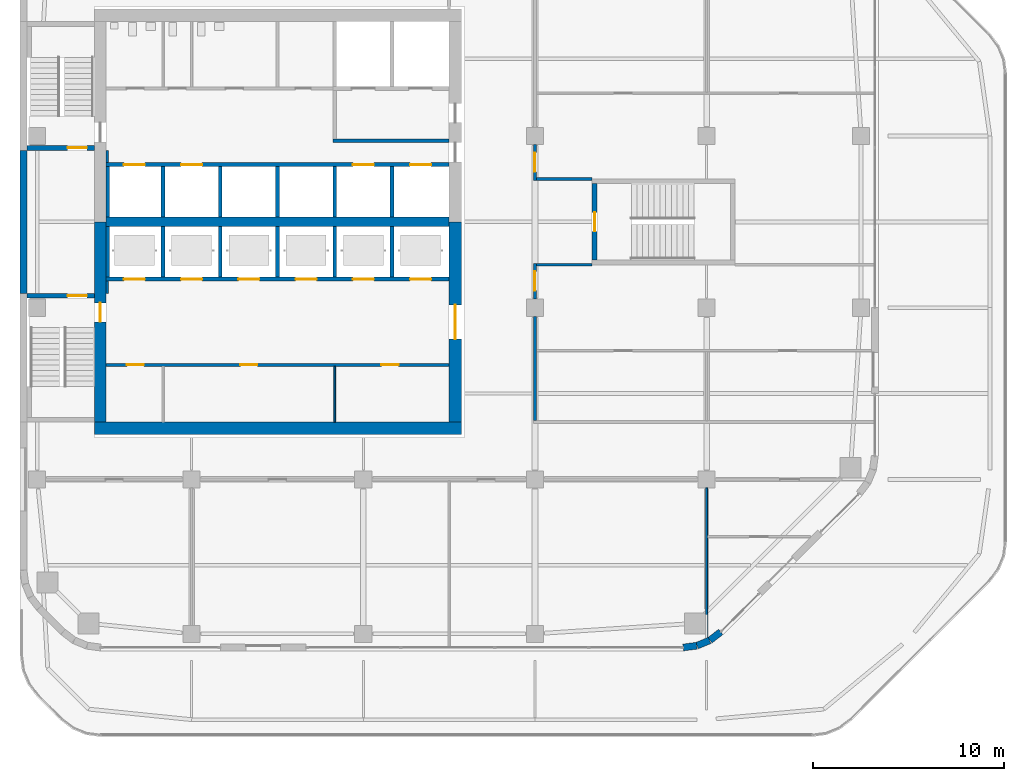
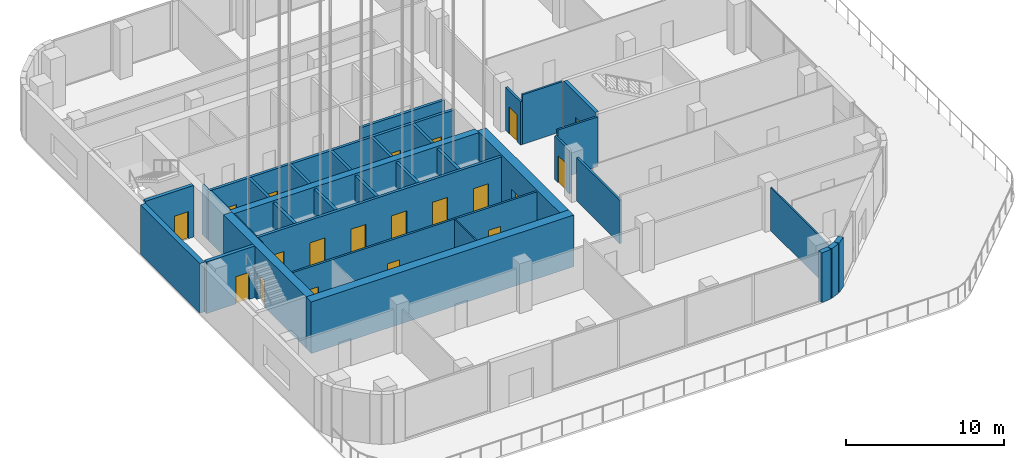
# One storey, part 24 of 29: 36 walls, 20 doors, 20 openings.
"""IFC4 building model written with IfcOpenShell, lengths in metres."""

import ifcopenshell
import ifcopenshell.guid

model = None  # the IFC model being written
_history = None  # IfcOwnerHistory: only IFC2X3 demands one
_inside = {}  # id of a spatial element -> (the spatial element, [elements in it])
_under = {}  # id of a project, library or spatial element -> (it, [spatial elements below it])
_declared = {}  # id of a project -> (the project, [libraries it declares])
_typed = {}  # id of a type object -> (the type object, [elements of that type])
_made_of = {}  # id of a material, layer set ... -> (it, [elements and type objects made of it])


def new_model(schema):
    """Start an empty IFC model of exactly this schema.

    Asked for "IFC4X3", IfcOpenShell would pick the latest addendum, in which some entities
    have other attributes; the version numbers below select the first issue.
    IFC2X3 requires an IfcOwnerHistory on every rooted entity: one is made here for all.
    """
    global model, _history
    if schema == "IFC4X3":
        model = ifcopenshell.file(schema_version=(4, 3, 0, 0))
    else:
        model = ifcopenshell.file(schema=schema)
    _inside.clear()
    _under.clear()
    _declared.clear()
    _typed.clear()
    _made_of.clear()
    _history = None
    if model.schema == "IFC2X3":
        org = make("IfcOrganization", Name="unknown")
        user = make(
            "IfcPersonAndOrganization",
            ThePerson=make("IfcPerson", FamilyName="unknown"),
            TheOrganization=org,
        )
        app = make(
            "IfcApplication",
            ApplicationDeveloper=org,
            Version="unknown",
            ApplicationFullName="unknown",
            ApplicationIdentifier="unknown",
        )
        _history = make(
            "IfcOwnerHistory",
            OwningUser=user,
            OwningApplication=app,
            ChangeAction="ADDED",
            CreationDate=0,
        )
    return model


def make(cls, **values):
    """One entity of the class cls with the attributes given. An attribute that is None is left unset."""
    return model.create_entity(
        cls, **{name: value for name, value in values.items() if value is not None}
    )


def rooted(cls, **values):
    """An entity with a GlobalId (a new one), such as an element, a storey or a relation."""
    return make(cls, GlobalId=ifcopenshell.guid.new(), OwnerHistory=_history, **values)


def si_unit(unit_type, name, prefix=None):
    """IfcSIUnit, for example si_unit("LENGTHUNIT", "METRE", prefix="MILLI")."""
    return make("IfcSIUnit", UnitType=unit_type, Prefix=prefix, Name=name)


def assignment(units):
    """IfcUnitAssignment: the units of a project."""
    return None if units is None else make("IfcUnitAssignment", Units=units)


def point(xyz):
    """IfcCartesianPoint."""
    return None if xyz is None else make("IfcCartesianPoint", Coordinates=xyz)


def direction(xyz):
    """IfcDirection."""
    return None if xyz is None else make("IfcDirection", DirectionRatios=xyz)


def frame(location, z_axis=None, x_axis=None):
    """IfcAxis2Placement3D, a coordinate frame: its origin and axes. An axis left out is left unset."""
    return make(
        "IfcAxis2Placement3D",
        Location=point(location),
        Axis=direction(z_axis),
        RefDirection=direction(x_axis),
    )


def frame_2d(location, x_axis=None):
    """IfcAxis2Placement2D, a coordinate frame in the plane: its origin and x axis."""
    return make(
        "IfcAxis2Placement2D", Location=point(location), RefDirection=direction(x_axis)
    )


def origin():
    """The frame at (0, 0, 0) with its axes left unset."""
    return frame((0.0, 0.0, 0.0))


def place(relative_to, where):
    """IfcLocalPlacement: puts the frame where relative to a parent placement (None: the world)."""
    return make(
        "IfcLocalPlacement", PlacementRelTo=relative_to, RelativePlacement=where
    )


def context(
    kind, dimensions, precision=None, world=None, true_north=None, identifier=None
):
    """IfcGeometricRepresentationContext, for example the 3D "Model" context."""
    return make(
        "IfcGeometricRepresentationContext",
        ContextIdentifier=identifier,
        ContextType=kind,
        CoordinateSpaceDimension=dimensions,
        Precision=precision,
        WorldCoordinateSystem=world,
        TrueNorth=true_north,
    )


def subcontext(parent, identifier, kind, view, scale=None):
    """IfcGeometricRepresentationSubContext, for example "Body" below "Model"."""
    return make(
        "IfcGeometricRepresentationSubContext",
        ContextIdentifier=identifier,
        ContextType=kind,
        ParentContext=parent,
        TargetScale=scale,
        TargetView=view,
    )


def project(units=None, contexts=None):
    """IfcProject with its units and contexts."""
    return rooted(
        "IfcProject",
        Name="project",
        RepresentationContexts=contexts,
        UnitsInContext=assignment(units),
    )


def spatial(cls, under=None, at=None, **own):
    """A site, building, storey or space (cls), placed at a placement, below another one or the project."""
    s = rooted(cls, ObjectPlacement=at, **own)
    if under is not None:
        _under.setdefault(under.id(), (under, []))[1].append(s)
    return s


def profile(cls, at=None, kind="AREA", **sizes):
    """A parametric profile (cls). Its sizes go by their IFC names, for example OverallWidth=200.0."""
    return make(cls, ProfileType=kind, Position=at, **sizes)


def rectangle(**sizes):
    """IfcRectangleProfileDef."""
    return profile("IfcRectangleProfileDef", **sizes)


def extrude(swept, where, along, depth):
    """IfcExtrudedAreaSolid: the profile swept, set in the frame where, extruded along a direction by depth."""
    return make(
        "IfcExtrudedAreaSolid",
        SweptArea=swept,
        Position=where,
        ExtrudedDirection=direction(along),
        Depth=depth,
    )


def shape(context_of_items, identifier, shape_type, items):
    """IfcShapeRepresentation: the items that make up one representation, for example the "Body"."""
    return make(
        "IfcShapeRepresentation",
        ContextOfItems=context_of_items,
        RepresentationIdentifier=identifier,
        RepresentationType=shape_type,
        Items=items,
    )


def material(Name=None, Category=None):
    """IfcMaterial."""
    return make("IfcMaterial", Name=Name, Category=Category)


def layer(
    of_material, thickness, ventilated=None, Name=None, Category=None, Priority=None
):
    """IfcMaterialLayer: one layer of a wall or slab, of a material (None: an air gap)."""
    return make(
        "IfcMaterialLayer",
        Material=of_material,
        LayerThickness=thickness,
        IsVentilated=ventilated,
        Name=Name,
        Category=Category,
        Priority=Priority,
    )


def layer_set(layers, Name=None):
    """IfcMaterialLayerSet."""
    return make("IfcMaterialLayerSet", MaterialLayers=layers, LayerSetName=Name)


def made_of(thing, what):
    """Note that an element or type object is made of a material, layer set ...; save() writes the relation."""
    if what is not None:
        _made_of.setdefault(what.id(), (what, []))[1].append(thing)
    return thing


def type_object(cls, material=None, **own):
    """A type object (cls), such as IfcWallType, which elements share."""
    return made_of(rooted(cls, **own), material)


def element(
    cls,
    number,
    at=None,
    inside=None,
    cuts=None,
    type_object=None,
    material=None,
    context=None,
    identifier="Body",
    shape_type=None,
    held_by="IfcProductDefinitionShape",
    body=None,
    shapes=None,
    **own,
):
    """One element of the class cls, such as IfcWall. Its Tag is "e" and its number.

    at: its placement. inside: the storey or other place that contains it. cuts: it is an
    opening in that element (IfcRelVoidsElement). A single representation is given by context,
    identifier, shape_type and body (its items); several are given by shapes. held_by: the class
    of the entity that holds the representations. save() writes the other relations.
    """
    e = rooted(cls, Tag="e%d" % number, ObjectPlacement=at, **own)
    if body is not None:
        shapes = [shape(context, identifier, shape_type, body)]
    if shapes is not None:
        e.Representation = make(held_by, Representations=shapes)
    if inside is not None:
        _inside.setdefault(inside.id(), (inside, []))[1].append(e)
    if cuts is not None:
        rooted(
            "IfcRelVoidsElement", RelatingBuildingElement=cuts, RelatedOpeningElement=e
        )
    if type_object is not None:
        _typed.setdefault(type_object.id(), (type_object, []))[1].append(e)
    return made_of(e, material)


def fill(opening, filler):
    """IfcRelFillsElement: the door or window that sits in an opening."""
    return rooted(
        "IfcRelFillsElement",
        RelatingOpeningElement=opening,
        RelatedBuildingElement=filler,
    )


def aggregate(whole, parts):
    """IfcRelAggregates: a whole, such as a stair, and the parts it consists of."""
    return rooted("IfcRelAggregates", RelatingObject=whole, RelatedObjects=parts)


def save(model, path):
    """Write the relations noted so far, then the file.

    IfcRelAggregates (storeys below a building ...), IfcRelContainedInSpatialStructure (elements
    in a storey), IfcRelDefinesByType, IfcRelAssociatesMaterial and IfcRelDeclares: one each for
    every whole, place, type object, material and project.
    """
    for whole, parts in _under.values():
        aggregate(whole, parts)
    for where, things in _inside.values():
        rooted(
            "IfcRelContainedInSpatialStructure",
            RelatedElements=things,
            RelatingStructure=where,
        )
    for kind, things in _typed.values():
        rooted("IfcRelDefinesByType", RelatedObjects=things, RelatingType=kind)
    for what, things in _made_of.values():
        rooted("IfcRelAssociatesMaterial", RelatedObjects=things, RelatingMaterial=what)
    for by, libraries in _declared.values():
        rooted("IfcRelDeclares", RelatingContext=by, RelatedDefinitions=libraries)
    model.write(path)


model = new_model("IFC4")

# Units and contexts
model_context = context("Model", 3, precision=1e-05, world=origin(), true_north=direction((0.0, 1.0)))
body_context = subcontext(model_context, "Body", "Model", "MODEL_VIEW")
ifc_project = project(units=[si_unit("LENGTHUNIT", "METRE"), si_unit("AREAUNIT", "SQUARE_METRE"), si_unit("VOLUMEUNIT", "CUBIC_METRE"), si_unit("PLANEANGLEUNIT", "RADIAN"), si_unit("MASSUNIT", "GRAM", prefix="KILO")], contexts=[model_context])

# Site, building, storey
site_placement = place(None, origin())
site = spatial("IfcSite", under=ifc_project, at=site_placement, CompositionType="ELEMENT")
building_placement = place(site_placement, origin())
building = spatial("IfcBuilding", under=site, at=building_placement, Name="Cinnabar Reach Civic Tower", CompositionType="ELEMENT")
storey_placement = place(building_placement, frame((0.0, 0.0, 149.0)))
storey = spatial("IfcBuildingStorey", under=building, at=storey_placement, Name="L35", CompositionType="ELEMENT", Elevation=149.0)

# Walls
ifc_material_1 = material(Name="Facing brick with insulated backing", Category="masonry")
ifc_layer_1 = layer(ifc_material_1, 0.36)
ifc_layer_set_1 = layer_set([ifc_layer_1], Name="Brick corner wall")
wall_type_1 = type_object("IfcWallType", Name="Brick corner wall", PredefinedType="STANDARD", material=ifc_layer_set_1)
for number, where, z_axis, x_axis, name in (
    (1, (34.7686, 9.183, 0.0), (0.0, 0.0, 1.0), (0.99144092581, 0.13055608231, 0.0), "Brick corner wall"),
    (2, (35.4973, 9.2819, 0.0), (0.0, 0.0, 1.0), (0.923871547278, 0.382702709855, 0.0), "Brick corner wall"),
):
    element("IfcWall", number, at=place(storey_placement, frame(where, z_axis=z_axis, x_axis=x_axis)), inside=storey, type_object=wall_type_1, Name=name, PredefinedType="STANDARD", context=body_context, shape_type="SweptSolid", body=[
        extrude(rectangle(XDim=0.7131, YDim=0.36, at=frame_2d((0.3565, 0.0))), origin(), (0.0, 0.0, 1.0), 3.85),
    ])
wall_1_placement = place(storey_placement, frame((36.1755, 9.566, 0.0), z_axis=(0.0, 0.0, 1.0), x_axis=(0.793321924995, 0.608802368033, 0.0)))
element("IfcWall", 3, at=wall_1_placement, inside=storey, type_object=wall_type_1, Name="Brick corner wall", PredefinedType="STANDARD", context=body_context, shape_type="SweptSolid", body=[
    extrude(rectangle(XDim=0.7132, YDim=0.36, at=frame_2d((0.3566, 0.0))), origin(), (0.0, 0.0, 1.0), 3.85),
])
ifc_layer_2 = layer(ifc_material_1, 0.36)
ifc_layer_set_2 = layer_set([ifc_layer_2], Name="Brick pier and spandrel wall")
wall_type_2 = type_object("IfcWallType", Name="Brick pier and spandrel wall", PredefinedType="STANDARD", material=ifc_layer_set_2)
wall_2_placement = place(storey_placement, frame((0.18, 35.25, 0.0), z_axis=(0.0, 0.0, 1.0), x_axis=(0.0, -1.0, 0.0)))
element("IfcWall", 4, at=wall_2_placement, inside=storey, type_object=wall_type_2, Name="Brick facade wall", PredefinedType="STANDARD", context=body_context, shape_type="SweptSolid", body=[
    extrude(rectangle(XDim=7.5, YDim=0.36, at=frame_2d((3.75, 0.0))), origin(), (0.0, 0.0, 1.0), 3.85),
])
ifc_material_2 = material(Name="Concrete C60", Category="concrete")
ifc_layer_3 = layer(ifc_material_2, 0.5)
ifc_layer_set_3 = layer_set([ifc_layer_3], Name="Core wall 500 EI 180")
wall_type_3 = type_object("IfcWallType", Name="Core wall 500 EI 180", PredefinedType="SOLIDWALL", material=ifc_layer_set_3)
wall_3_placement = place(storey_placement, frame((4.5, 31.5, 0.0), z_axis=(0.0, 0.0, 1.0), x_axis=(1.0, 0.0, 0.0)))
element("IfcWall", 5, at=wall_3_placement, inside=storey, type_object=wall_type_3, Name="Core spine wall T1 L35", PredefinedType="SOLIDWALL", context=body_context, shape_type="SweptSolid", body=[
    extrude(rectangle(XDim=18.0, YDim=0.5, at=frame_2d((9.0, 0.0))), origin(), (0.0, 0.0, 1.0), 4.0),
])

# Wall, opening, door
ifc_material_3 = material(Name="Concrete C70", Category="concrete")
ifc_layer_4 = layer(ifc_material_3, 0.6)
ifc_layer_set_4 = layer_set([ifc_layer_4], Name="Core wall 600 EI 180")
wall_type_4 = type_object("IfcWallType", Name="Core wall 600 EI 180", PredefinedType="SOLIDWALL", material=ifc_layer_set_4)
wall_4_placement = place(storey_placement, frame((4.2, 31.5, 0.0), z_axis=(0.0, 0.0, 1.0), x_axis=(0.0, -1.0, 0.0)))
wall_4 = element("IfcWall", 6, at=wall_4_placement, inside=storey, type_object=wall_type_4, Name="Core wall T1 L35 W2", PredefinedType="SOLIDWALL", context=body_context, shape_type="SweptSolid", body=[
    extrude(rectangle(XDim=10.5, YDim=0.6, at=frame_2d((5.25, 0.0))), origin(), (0.0, 0.0, 1.0), 4.0),
])
opening_1_placement = place(wall_4_placement, frame((4.25, 0.0, 0.0)))
opening_1 = element("IfcOpeningElement", 7, at=opening_1_placement, cuts=wall_4, Name="Opening D4411", PredefinedType="OPENING", context=body_context, shape_type="SweptSolid", body=[
    extrude(rectangle(XDim=1.0, YDim=2.1, at=frame_2d((0.5, 1.05))), frame((0.0, 0.31, 0.0), z_axis=(0.0, -1.0, 0.0), x_axis=(1.0, 0.0, 0.0)), (0.0, 0.0, 1.0), 0.62),
])
ifc_material_4 = material(Name="Timber door leaf in steel frame", Category="steel")
door_type_1 = type_object("IfcDoorType", Name="Stair door 1000 x 2100 T1", OperationType="SINGLE_SWING_LEFT", PredefinedType="DOOR", material=ifc_material_4)
door_1_placement = place(opening_1_placement, frame((1.0, 0.0, 0.0), z_axis=(0.0, 0.0, 1.0), x_axis=(-1.0, 0.0, 0.0)))
door_1 = element("IfcDoor", 8, at=door_1_placement, inside=storey, type_object=door_type_1, Name="Door D4411", OperationType="SINGLE_SWING_RIGHT", OverallHeight=2.1, OverallWidth=1.0, PredefinedType="DOOR", context=body_context, shape_type="SweptSolid", body=[
    extrude(rectangle(XDim=1.0, YDim=2.1, at=frame_2d((0.5, 1.05))), frame((0.0, 0.025, 0.0), z_axis=(0.0, -1.0, 0.0), x_axis=(1.0, 0.0, 0.0)), (0.0, 0.0, 1.0), 0.05),
])
fill(opening_1, door_1)

# Wall
ifc_layer_5 = layer(ifc_material_3, 0.65)
ifc_layer_set_5 = layer_set([ifc_layer_5], Name="Core wall 650 EI 180")
wall_type_5 = type_object("IfcWallType", Name="Core wall 650 EI 180", PredefinedType="SOLIDWALL", material=ifc_layer_set_5)
wall_5_placement = place(storey_placement, frame((3.9, 20.675, 0.0), z_axis=(0.0, 0.0, 1.0), x_axis=(1.0, 0.0, 0.0)))
element("IfcWall", 9, at=wall_5_placement, inside=storey, type_object=wall_type_5, Name="Core wall T1 L35 S", PredefinedType="SOLIDWALL", context=body_context, shape_type="SweptSolid", body=[
    extrude(rectangle(XDim=19.25, YDim=0.65, at=frame_2d((9.625, 0.0))), origin(), (0.0, 0.0, 1.0), 4.0),
])

# Wall, opening, door
wall_6_placement = place(storey_placement, frame((22.825, 21.0, 0.0), z_axis=(0.0, 0.0, 1.0), x_axis=(0.0, 1.0, 0.0)))
wall_6 = element("IfcWall", 10, at=wall_6_placement, inside=storey, type_object=wall_type_5, Name="Core wall T1 L35 E", PredefinedType="SOLIDWALL", context=body_context, shape_type="SweptSolid", body=[
    extrude(rectangle(XDim=10.5, YDim=0.65, at=frame_2d((5.25, 0.0))), origin(), (0.0, 0.0, 1.0), 4.0),
])
opening_2_placement = place(wall_6_placement, frame((4.35, 0.0, 0.0)))
opening_2 = element("IfcOpeningElement", 11, at=opening_2_placement, cuts=wall_6, Name="Opening D4427", PredefinedType="OPENING", context=body_context, shape_type="SweptSolid", body=[
    extrude(rectangle(XDim=1.8, YDim=2.1, at=frame_2d((0.9, 1.05))), frame((0.0, 0.335, 0.0), z_axis=(0.0, -1.0, 0.0), x_axis=(1.0, 0.0, 0.0)), (0.0, 0.0, 1.0), 0.67),
])
door_type_2 = type_object("IfcDoorType", Name="Double swing door 1800 x 2100 T1", OperationType="DOUBLE_DOOR_DOUBLE_SWING", PredefinedType="DOOR", material=ifc_material_4)
door_2_placement = place(opening_2_placement, origin())
door_2 = element("IfcDoor", 12, at=door_2_placement, inside=storey, type_object=door_type_2, Name="Door D4427", OperationType="DOUBLE_DOOR_DOUBLE_SWING", OverallHeight=2.1, OverallWidth=1.8, PredefinedType="DOOR", context=body_context, shape_type="SweptSolid", body=[
    extrude(rectangle(XDim=1.8, YDim=2.1, at=frame_2d((0.9, 1.05))), frame((0.0, 0.025, 0.0), z_axis=(0.0, -1.0, 0.0), x_axis=(1.0, 0.0, 0.0)), (0.0, 0.0, 1.0), 0.05),
])
fill(opening_2, door_2)

# Wall, openings, doors
ifc_material_5 = material(Name="Gypsum board on steel studs, double layer", Category="steel")
ifc_layer_6 = layer(ifc_material_5, 0.15)
ifc_layer_set_6 = layer_set([ifc_layer_6], Name="Corridor wall 150 T1")
wall_type_6 = type_object("IfcWallType", Name="Corridor wall 150 T1", PredefinedType="PARTITIONING", material=ifc_layer_set_6)
wall_7_placement = place(storey_placement, frame((4.5, 24.0, 0.0), z_axis=(0.0, 0.0, 1.0), x_axis=(1.0, 0.0, 0.0)))
wall_7 = element("IfcWall", 13, at=wall_7_placement, inside=storey, type_object=wall_type_6, Name="Corridor wall 28", PredefinedType="PARTITIONING", context=body_context, shape_type="SweptSolid", body=[
    extrude(rectangle(XDim=18.0, YDim=0.15, at=frame_2d((9.0, 0.0))), origin(), (0.0, 0.0, 1.0), 3.85),
])
opening_3_placement = place(wall_7_placement, frame((1.1, 0.0, 0.0)))
opening_3 = element("IfcOpeningElement", 14, at=opening_3_placement, cuts=wall_7, Name="Opening D4431", PredefinedType="OPENING", context=body_context, shape_type="SweptSolid", body=[
    extrude(rectangle(XDim=0.9, YDim=2.1, at=frame_2d((0.45, 1.05))), frame((0.0, 0.085, 0.0), z_axis=(0.0, -1.0, 0.0), x_axis=(1.0, 0.0, 0.0)), (0.0, 0.0, 1.0), 0.17),
])
opening_4_placement = place(wall_7_placement, frame((7.05, 0.0, 0.0)))
opening_4 = element("IfcOpeningElement", 15, at=opening_4_placement, cuts=wall_7, Name="Opening D4432", PredefinedType="OPENING", context=body_context, shape_type="SweptSolid", body=[
    extrude(rectangle(XDim=0.9, YDim=2.1, at=frame_2d((0.45, 1.05))), frame((0.0, 0.085, 0.0), z_axis=(0.0, -1.0, 0.0), x_axis=(1.0, 0.0, 0.0)), (0.0, 0.0, 1.0), 0.17),
])
opening_5_placement = place(wall_7_placement, frame((14.45, 0.0, 0.0)))
opening_5 = element("IfcOpeningElement", 16, at=opening_5_placement, cuts=wall_7, Name="Opening D4433", PredefinedType="OPENING", context=body_context, shape_type="SweptSolid", body=[
    extrude(rectangle(XDim=0.9, YDim=2.1, at=frame_2d((0.45, 1.05))), frame((0.0, 0.085, 0.0), z_axis=(0.0, -1.0, 0.0), x_axis=(1.0, 0.0, 0.0)), (0.0, 0.0, 1.0), 0.17),
])
door_type_3 = type_object("IfcDoorType", Name="Single swing door 900 x 2100 corridor T1", OperationType="SINGLE_SWING_LEFT", PredefinedType="DOOR", material=ifc_material_4)
door_3_placement = place(opening_3_placement, frame((0.9, 0.0, 0.0), z_axis=(0.0, 0.0, 1.0), x_axis=(-1.0, 0.0, 0.0)))
door_3 = element("IfcDoor", 17, at=door_3_placement, inside=storey, type_object=door_type_3, Name="Door D4431", OperationType="SINGLE_SWING_RIGHT", OverallHeight=2.1, OverallWidth=0.9, PredefinedType="DOOR", context=body_context, shape_type="SweptSolid", body=[
    extrude(rectangle(XDim=0.9, YDim=2.1, at=frame_2d((0.45, 1.05))), frame((0.0, 0.025, 0.0), z_axis=(0.0, -1.0, 0.0), x_axis=(1.0, 0.0, 0.0)), (0.0, 0.0, 1.0), 0.05),
])
fill(opening_3, door_3)
door_4_placement = place(opening_4_placement, frame((0.9, 0.0, 0.0), z_axis=(0.0, 0.0, 1.0), x_axis=(-1.0, 0.0, 0.0)))
door_4 = element("IfcDoor", 18, at=door_4_placement, inside=storey, type_object=door_type_3, Name="Door D4432", OperationType="SINGLE_SWING_RIGHT", OverallHeight=2.1, OverallWidth=0.9, PredefinedType="DOOR", context=body_context, shape_type="SweptSolid", body=[
    extrude(rectangle(XDim=0.9, YDim=2.1, at=frame_2d((0.45, 1.05))), frame((0.0, 0.025, 0.0), z_axis=(0.0, -1.0, 0.0), x_axis=(1.0, 0.0, 0.0)), (0.0, 0.0, 1.0), 0.05),
])
fill(opening_4, door_4)
door_5_placement = place(opening_5_placement, frame((0.9, 0.0, 0.0), z_axis=(0.0, 0.0, 1.0), x_axis=(-1.0, 0.0, 0.0)))
door_5 = element("IfcDoor", 19, at=door_5_placement, inside=storey, type_object=door_type_3, Name="Door D4433", OperationType="SINGLE_SWING_LEFT", OverallHeight=2.1, OverallWidth=0.9, PredefinedType="DOOR", context=body_context, shape_type="SweptSolid", body=[
    extrude(rectangle(XDim=0.9, YDim=2.1, at=frame_2d((0.45, 1.05))), frame((0.0, 0.025, 0.0), z_axis=(0.0, -1.0, 0.0), x_axis=(1.0, 0.0, 0.0)), (0.0, 0.0, 1.0), 0.05),
])
fill(opening_5, door_5)

# Wall, opening, door
wall_8_placement = place(storey_placement, frame((27.0, 33.675, 0.0), z_axis=(0.0, 0.0, 1.0), x_axis=(0.0, 1.0, 0.0)))
wall_8 = element("IfcWall", 20, at=wall_8_placement, inside=storey, type_object=wall_type_6, Name="Corridor wall 30", PredefinedType="PARTITIONING", context=body_context, shape_type="SweptSolid", body=[
    extrude(rectangle(XDim=1.875, YDim=0.15, at=frame_2d((0.9375, 0.0))), origin(), (0.0, 0.0, 1.0), 3.362),
])
opening_6_placement = place(wall_8_placement, frame((0.45, 0.0, 0.0)))
opening_6 = element("IfcOpeningElement", 21, at=opening_6_placement, cuts=wall_8, Name="Opening D4438", PredefinedType="OPENING", context=body_context, shape_type="SweptSolid", body=[
    extrude(rectangle(XDim=1.0, YDim=2.1, at=frame_2d((0.5, 1.05))), frame((0.0, 0.085, 0.0), z_axis=(0.0, -1.0, 0.0), x_axis=(1.0, 0.0, 0.0)), (0.0, 0.0, 1.0), 0.17),
])
door_type_4 = type_object("IfcDoorType", Name="Tenancy entrance door 1000 x 2100 T1", OperationType="SINGLE_SWING_LEFT", PredefinedType="DOOR", material=ifc_material_4)
door_6_placement = place(opening_6_placement, frame((1.0, 0.0, 0.0), z_axis=(0.0, 0.0, 1.0), x_axis=(-1.0, 0.0, 0.0)))
door_6 = element("IfcDoor", 22, at=door_6_placement, inside=storey, type_object=door_type_4, Name="Door D4438", OperationType="SINGLE_SWING_RIGHT", OverallHeight=2.1, OverallWidth=1.0, PredefinedType="DOOR", context=body_context, shape_type="SweptSolid", body=[
    extrude(rectangle(XDim=1.0, YDim=2.1, at=frame_2d((0.5, 1.05))), frame((0.0, 0.025, 0.0), z_axis=(0.0, -1.0, 0.0), x_axis=(1.0, 0.0, 0.0)), (0.0, 0.0, 1.0), 0.05),
])
fill(opening_6, door_6)

# Wall
wall_9_placement = place(storey_placement, frame((27.0, 21.075, 0.0), z_axis=(0.0, 0.0, 1.0), x_axis=(0.0, 1.0, 0.0)))
element("IfcWall", 23, at=wall_9_placement, inside=storey, type_object=wall_type_6, Name="Corridor wall 34", PredefinedType="PARTITIONING", context=body_context, shape_type="SweptSolid", body=[
    extrude(rectangle(XDim=5.475, YDim=0.15, at=frame_2d((2.7375, 0.0))), origin(), (0.0, 0.0, 1.0), 3.362),
])

# Wall, opening, door
wall_10_placement = place(storey_placement, frame((27.0, 27.45, 0.0), z_axis=(0.0, 0.0, 1.0), x_axis=(0.0, 1.0, 0.0)))
wall_10 = element("IfcWall", 24, at=wall_10_placement, inside=storey, type_object=wall_type_6, Name="Corridor wall 35", PredefinedType="PARTITIONING", context=body_context, shape_type="SweptSolid", body=[
    extrude(rectangle(XDim=1.875, YDim=0.15, at=frame_2d((0.9375, 0.0))), origin(), (0.0, 0.0, 1.0), 3.362),
])
opening_7_placement = place(wall_10_placement, frame((0.45, 0.0, 0.0)))
opening_7 = element("IfcOpeningElement", 25, at=opening_7_placement, cuts=wall_10, Name="Opening D4441", PredefinedType="OPENING", context=body_context, shape_type="SweptSolid", body=[
    extrude(rectangle(XDim=1.0, YDim=2.1, at=frame_2d((0.5, 1.05))), frame((0.0, 0.085, 0.0), z_axis=(0.0, -1.0, 0.0), x_axis=(1.0, 0.0, 0.0)), (0.0, 0.0, 1.0), 0.17),
])
door_7_placement = place(opening_7_placement, frame((1.0, 0.0, 0.0), z_axis=(0.0, 0.0, 1.0), x_axis=(-1.0, 0.0, 0.0)))
door_7 = element("IfcDoor", 26, at=door_7_placement, inside=storey, type_object=door_type_4, Name="Door D4441", OperationType="SINGLE_SWING_LEFT", OverallHeight=2.1, OverallWidth=1.0, PredefinedType="DOOR", context=body_context, shape_type="SweptSolid", body=[
    extrude(rectangle(XDim=1.0, YDim=2.1, at=frame_2d((0.5, 1.05))), frame((0.0, 0.025, 0.0), z_axis=(0.0, -1.0, 0.0), x_axis=(1.0, 0.0, 0.0)), (0.0, 0.0, 1.0), 0.05),
])
fill(opening_7, door_7)

# Walls
for number, where, z_axis, x_axis, name in (
    (27, (27.075, 29.25, 0.0), (0.0, 0.0, 1.0), (1.0, 0.0, 0.0), "Corridor wall 36"),
    (28, (27.075, 33.75, 0.0), (0.0, 0.0, 1.0), (1.0, 0.0, 0.0), "Corridor wall 37"),
):
    element("IfcWall", number, at=place(storey_placement, frame(where, z_axis=z_axis, x_axis=x_axis)), inside=storey, type_object=wall_type_6, Name=name, PredefinedType="PARTITIONING", context=body_context, shape_type="SweptSolid", body=[
        extrude(rectangle(XDim=2.925, YDim=0.15, at=frame_2d((1.4625, 0.0))), origin(), (0.0, 0.0, 1.0), 3.85),
    ])
for number, where, z_axis, x_axis, name in (
    (29, (4.575, 27.75, 0.0), (0.0, 0.0, 1.0), (0.0, 1.0, 0.0), "Corridor wall 39"),
    (30, (4.575, 34.6, 0.0), (0.0, 0.0, 1.0), (0.0, 1.0, 0.0), "Corridor wall 40"),
):
    element("IfcWall", number, at=place(storey_placement, frame(where, z_axis=z_axis, x_axis=x_axis)), inside=storey, type_object=wall_type_6, Name=name, PredefinedType="PARTITIONING", context=body_context, shape_type="SweptSolid", body=[
        extrude(rectangle(XDim=0.65, YDim=0.15, at=frame_2d((0.325, 0.0))), origin(), (0.0, 0.0, 1.0), 3.85),
    ])

# Wall, openings, doors
ifc_material_6 = material(Name="Blockwork", Category="masonry")
ifc_layer_7 = layer(ifc_material_6, 0.2)
ifc_layer_set_7 = layer_set([ifc_layer_7], Name="Lift shaft wall 200 T1")
wall_type_7 = type_object("IfcWallType", Name="Lift shaft wall 200 T1", PredefinedType="PARTITIONING", material=ifc_layer_set_7)
wall_11_placement = place(storey_placement, frame((4.5, 28.5, 0.0), z_axis=(0.0, 0.0, 1.0), x_axis=(1.0, 0.0, 0.0)))
wall_11 = element("IfcWall", 31, at=wall_11_placement, inside=storey, type_object=wall_type_7, Name="Lift shaft wall 4", PredefinedType="PARTITIONING", context=body_context, shape_type="SweptSolid", body=[
    extrude(rectangle(XDim=18.0, YDim=0.2, at=frame_2d((9.0, 0.0))), origin(), (0.0, 0.0, 1.0), 3.85),
])
opening_8_placement = place(wall_11_placement, frame((0.95, 0.0, 0.0)))
opening_8 = element("IfcOpeningElement", 32, at=opening_8_placement, cuts=wall_11, Name="Opening D4415", PredefinedType="OPENING", context=body_context, shape_type="SweptSolid", body=[
    extrude(rectangle(XDim=1.1, YDim=2.1, at=frame_2d((0.55, 1.05))), frame((0.0, 0.11, 0.0), z_axis=(0.0, -1.0, 0.0), x_axis=(1.0, 0.0, 0.0)), (0.0, 0.0, 1.0), 0.22),
])
opening_9_placement = place(wall_11_placement, frame((3.95, 0.0, 0.0)))
opening_9 = element("IfcOpeningElement", 33, at=opening_9_placement, cuts=wall_11, Name="Opening D4416", PredefinedType="OPENING", context=body_context, shape_type="SweptSolid", body=[
    extrude(rectangle(XDim=1.1, YDim=2.1, at=frame_2d((0.55, 1.05))), frame((0.0, 0.11, 0.0), z_axis=(0.0, -1.0, 0.0), x_axis=(1.0, 0.0, 0.0)), (0.0, 0.0, 1.0), 0.22),
])
opening_10_placement = place(wall_11_placement, frame((6.95, 0.0, 0.0)))
opening_10 = element("IfcOpeningElement", 34, at=opening_10_placement, cuts=wall_11, Name="Opening D4417", PredefinedType="OPENING", context=body_context, shape_type="SweptSolid", body=[
    extrude(rectangle(XDim=1.1, YDim=2.1, at=frame_2d((0.55, 1.05))), frame((0.0, 0.11, 0.0), z_axis=(0.0, -1.0, 0.0), x_axis=(1.0, 0.0, 0.0)), (0.0, 0.0, 1.0), 0.22),
])
opening_11_placement = place(wall_11_placement, frame((9.95, 0.0, 0.0)))
opening_11 = element("IfcOpeningElement", 35, at=opening_11_placement, cuts=wall_11, Name="Opening D4418", PredefinedType="OPENING", context=body_context, shape_type="SweptSolid", body=[
    extrude(rectangle(XDim=1.1, YDim=2.1, at=frame_2d((0.55, 1.05))), frame((0.0, 0.11, 0.0), z_axis=(0.0, -1.0, 0.0), x_axis=(1.0, 0.0, 0.0)), (0.0, 0.0, 1.0), 0.22),
])
opening_12_placement = place(wall_11_placement, frame((12.95, 0.0, 0.0)))
opening_12 = element("IfcOpeningElement", 36, at=opening_12_placement, cuts=wall_11, Name="Opening D4419", PredefinedType="OPENING", context=body_context, shape_type="SweptSolid", body=[
    extrude(rectangle(XDim=1.1, YDim=2.1, at=frame_2d((0.55, 1.05))), frame((0.0, 0.11, 0.0), z_axis=(0.0, -1.0, 0.0), x_axis=(1.0, 0.0, 0.0)), (0.0, 0.0, 1.0), 0.22),
])
opening_13_placement = place(wall_11_placement, frame((15.95, 0.0, 0.0)))
opening_13 = element("IfcOpeningElement", 37, at=opening_13_placement, cuts=wall_11, Name="Opening D4420", PredefinedType="OPENING", context=body_context, shape_type="SweptSolid", body=[
    extrude(rectangle(XDim=1.1, YDim=2.1, at=frame_2d((0.55, 1.05))), frame((0.0, 0.11, 0.0), z_axis=(0.0, -1.0, 0.0), x_axis=(1.0, 0.0, 0.0)), (0.0, 0.0, 1.0), 0.22),
])
ifc_material_7 = material(Name="Stainless steel sliding door", Category="steel")
door_type_5 = type_object("IfcDoorType", Name="Lift landing door 1100 x 2100 T1", OperationType="SLIDING_TO_LEFT", PredefinedType="DOOR", material=ifc_material_7)
door_8_placement = place(opening_8_placement, origin())
door_8 = element("IfcDoor", 38, at=door_8_placement, inside=storey, type_object=door_type_5, Name="Lift landing door HR1 L35", OperationType="SLIDING_TO_LEFT", OverallHeight=2.1, OverallWidth=1.1, PredefinedType="DOOR", context=body_context, shape_type="SweptSolid", body=[
    extrude(rectangle(XDim=1.1, YDim=2.1, at=frame_2d((0.55, 1.05))), frame((0.0, 0.025, 0.0), z_axis=(0.0, -1.0, 0.0), x_axis=(1.0, 0.0, 0.0)), (0.0, 0.0, 1.0), 0.05),
])
fill(opening_8, door_8)
door_9_placement = place(opening_9_placement, origin())
door_9 = element("IfcDoor", 39, at=door_9_placement, inside=storey, type_object=door_type_5, Name="Lift landing door HR2 L35", OperationType="SLIDING_TO_LEFT", OverallHeight=2.1, OverallWidth=1.1, PredefinedType="DOOR", context=body_context, shape_type="SweptSolid", body=[
    extrude(rectangle(XDim=1.1, YDim=2.1, at=frame_2d((0.55, 1.05))), frame((0.0, 0.025, 0.0), z_axis=(0.0, -1.0, 0.0), x_axis=(1.0, 0.0, 0.0)), (0.0, 0.0, 1.0), 0.05),
])
fill(opening_9, door_9)
door_10_placement = place(opening_10_placement, origin())
door_10 = element("IfcDoor", 40, at=door_10_placement, inside=storey, type_object=door_type_5, Name="Lift landing door HR3 L35", OperationType="SLIDING_TO_LEFT", OverallHeight=2.1, OverallWidth=1.1, PredefinedType="DOOR", context=body_context, shape_type="SweptSolid", body=[
    extrude(rectangle(XDim=1.1, YDim=2.1, at=frame_2d((0.55, 1.05))), frame((0.0, 0.025, 0.0), z_axis=(0.0, -1.0, 0.0), x_axis=(1.0, 0.0, 0.0)), (0.0, 0.0, 1.0), 0.05),
])
fill(opening_10, door_10)
door_11_placement = place(opening_11_placement, origin())
door_11 = element("IfcDoor", 41, at=door_11_placement, inside=storey, type_object=door_type_5, Name="Lift landing door HR4 L35", OperationType="SLIDING_TO_LEFT", OverallHeight=2.1, OverallWidth=1.1, PredefinedType="DOOR", context=body_context, shape_type="SweptSolid", body=[
    extrude(rectangle(XDim=1.1, YDim=2.1, at=frame_2d((0.55, 1.05))), frame((0.0, 0.025, 0.0), z_axis=(0.0, -1.0, 0.0), x_axis=(1.0, 0.0, 0.0)), (0.0, 0.0, 1.0), 0.05),
])
fill(opening_11, door_11)
door_12_placement = place(opening_12_placement, origin())
door_12 = element("IfcDoor", 42, at=door_12_placement, inside=storey, type_object=door_type_5, Name="Lift landing door HR5 L35", OperationType="SLIDING_TO_LEFT", OverallHeight=2.1, OverallWidth=1.1, PredefinedType="DOOR", context=body_context, shape_type="SweptSolid", body=[
    extrude(rectangle(XDim=1.1, YDim=2.1, at=frame_2d((0.55, 1.05))), frame((0.0, 0.025, 0.0), z_axis=(0.0, -1.0, 0.0), x_axis=(1.0, 0.0, 0.0)), (0.0, 0.0, 1.0), 0.05),
])
fill(opening_12, door_12)
door_13_placement = place(opening_13_placement, origin())
door_13 = element("IfcDoor", 43, at=door_13_placement, inside=storey, type_object=door_type_5, Name="Lift landing door HR6 L35", OperationType="SLIDING_TO_LEFT", OverallHeight=2.1, OverallWidth=1.1, PredefinedType="DOOR", context=body_context, shape_type="SweptSolid", body=[
    extrude(rectangle(XDim=1.1, YDim=2.1, at=frame_2d((0.55, 1.05))), frame((0.0, 0.025, 0.0), z_axis=(0.0, -1.0, 0.0), x_axis=(1.0, 0.0, 0.0)), (0.0, 0.0, 1.0), 0.05),
])
fill(opening_13, door_13)

wall_12_placement = place(storey_placement, frame((4.5, 34.5, 0.0), z_axis=(0.0, 0.0, 1.0), x_axis=(1.0, 0.0, 0.0)))
wall_12 = element("IfcWall", 44, at=wall_12_placement, inside=storey, type_object=wall_type_7, Name="Lift shaft wall 5", PredefinedType="PARTITIONING", context=body_context, shape_type="SweptSolid", body=[
    extrude(rectangle(XDim=18.0, YDim=0.2, at=frame_2d((9.0, 0.0))), origin(), (0.0, 0.0, 1.0), 3.85),
])
opening_14_placement = place(wall_12_placement, frame((0.95, 0.0, 0.0)))
opening_14 = element("IfcOpeningElement", 45, at=opening_14_placement, cuts=wall_12, Name="Opening D4421", PredefinedType="OPENING", context=body_context, shape_type="SweptSolid", body=[
    extrude(rectangle(XDim=1.1, YDim=2.1, at=frame_2d((0.55, 1.05))), frame((0.0, 0.11, 0.0), z_axis=(0.0, -1.0, 0.0), x_axis=(1.0, 0.0, 0.0)), (0.0, 0.0, 1.0), 0.22),
])
opening_15_placement = place(wall_12_placement, frame((3.95, 0.0, 0.0)))
opening_15 = element("IfcOpeningElement", 46, at=opening_15_placement, cuts=wall_12, Name="Opening D4422", PredefinedType="OPENING", context=body_context, shape_type="SweptSolid", body=[
    extrude(rectangle(XDim=1.1, YDim=2.1, at=frame_2d((0.55, 1.05))), frame((0.0, 0.11, 0.0), z_axis=(0.0, -1.0, 0.0), x_axis=(1.0, 0.0, 0.0)), (0.0, 0.0, 1.0), 0.22),
])
opening_16_placement = place(wall_12_placement, frame((12.95, 0.0, 0.0)))
opening_16 = element("IfcOpeningElement", 47, at=opening_16_placement, cuts=wall_12, Name="Opening D4423", PredefinedType="OPENING", context=body_context, shape_type="SweptSolid", body=[
    extrude(rectangle(XDim=1.1, YDim=2.1, at=frame_2d((0.55, 1.05))), frame((0.0, 0.11, 0.0), z_axis=(0.0, -1.0, 0.0), x_axis=(1.0, 0.0, 0.0)), (0.0, 0.0, 1.0), 0.22),
])
opening_17_placement = place(wall_12_placement, frame((15.95, 0.0, 0.0)))
opening_17 = element("IfcOpeningElement", 48, at=opening_17_placement, cuts=wall_12, Name="Opening D4424", PredefinedType="OPENING", context=body_context, shape_type="SweptSolid", body=[
    extrude(rectangle(XDim=1.1, YDim=2.1, at=frame_2d((0.55, 1.05))), frame((0.0, 0.11, 0.0), z_axis=(0.0, -1.0, 0.0), x_axis=(1.0, 0.0, 0.0)), (0.0, 0.0, 1.0), 0.22),
])
door_14_placement = place(opening_14_placement, origin())
door_14 = element("IfcDoor", 49, at=door_14_placement, inside=storey, type_object=door_type_5, Name="Lift landing door SH1 L35", OperationType="SLIDING_TO_LEFT", OverallHeight=2.1, OverallWidth=1.1, PredefinedType="DOOR", context=body_context, shape_type="SweptSolid", body=[
    extrude(rectangle(XDim=1.1, YDim=2.1, at=frame_2d((0.55, 1.05))), frame((0.0, 0.025, 0.0), z_axis=(0.0, -1.0, 0.0), x_axis=(1.0, 0.0, 0.0)), (0.0, 0.0, 1.0), 0.05),
])
fill(opening_14, door_14)
door_15_placement = place(opening_15_placement, origin())
door_15 = element("IfcDoor", 50, at=door_15_placement, inside=storey, type_object=door_type_5, Name="Lift landing door SH2 L35", OperationType="SLIDING_TO_LEFT", OverallHeight=2.1, OverallWidth=1.1, PredefinedType="DOOR", context=body_context, shape_type="SweptSolid", body=[
    extrude(rectangle(XDim=1.1, YDim=2.1, at=frame_2d((0.55, 1.05))), frame((0.0, 0.025, 0.0), z_axis=(0.0, -1.0, 0.0), x_axis=(1.0, 0.0, 0.0)), (0.0, 0.0, 1.0), 0.05),
])
fill(opening_15, door_15)
door_16_placement = place(opening_16_placement, origin())
door_16 = element("IfcDoor", 51, at=door_16_placement, inside=storey, type_object=door_type_5, Name="Lift landing door SV1 L35", OperationType="SLIDING_TO_LEFT", OverallHeight=2.1, OverallWidth=1.1, PredefinedType="DOOR", context=body_context, shape_type="SweptSolid", body=[
    extrude(rectangle(XDim=1.1, YDim=2.1, at=frame_2d((0.55, 1.05))), frame((0.0, 0.025, 0.0), z_axis=(0.0, -1.0, 0.0), x_axis=(1.0, 0.0, 0.0)), (0.0, 0.0, 1.0), 0.05),
])
fill(opening_16, door_16)
door_17_placement = place(opening_17_placement, origin())
door_17 = element("IfcDoor", 52, at=door_17_placement, inside=storey, type_object=door_type_5, Name="Lift landing door SV2 L35", OperationType="SLIDING_TO_LEFT", OverallHeight=2.1, OverallWidth=1.1, PredefinedType="DOOR", context=body_context, shape_type="SweptSolid", body=[
    extrude(rectangle(XDim=1.1, YDim=2.1, at=frame_2d((0.55, 1.05))), frame((0.0, 0.025, 0.0), z_axis=(0.0, -1.0, 0.0), x_axis=(1.0, 0.0, 0.0)), (0.0, 0.0, 1.0), 0.05),
])
fill(opening_17, door_17)

# Walls
for number, where, z_axis, x_axis, name in (
    (53, (4.6, 31.75, 0.0), (0.0, 0.0, 1.0), (0.0, 1.0, 0.0), "Lift shaft wall 6"),
    (54, (4.6, 28.6, 0.0), (0.0, 0.0, 1.0), (0.0, 1.0, 0.0), "Lift shaft wall 7"),
    (55, (7.5, 28.6, 0.0), (0.0, 0.0, 1.0), (0.0, 1.0, 0.0), "Lift shaft wall 8"),
    (56, (7.5, 31.75, 0.0), (0.0, 0.0, 1.0), (0.0, 1.0, 0.0), "Lift shaft wall 9"),
    (57, (10.5, 28.6, 0.0), (0.0, 0.0, 1.0), (0.0, 1.0, 0.0), "Lift shaft wall 10"),
    (58, (10.5, 31.75, 0.0), (0.0, 0.0, 1.0), (0.0, 1.0, 0.0), "Lift shaft wall 11"),
    (59, (13.5, 28.6, 0.0), (0.0, 0.0, 1.0), (0.0, 1.0, 0.0), "Lift shaft wall 12"),
    (60, (13.5, 31.75, 0.0), (0.0, 0.0, 1.0), (0.0, 1.0, 0.0), "Lift shaft wall 13"),
    (61, (16.5, 28.6, 0.0), (0.0, 0.0, 1.0), (0.0, 1.0, 0.0), "Lift shaft wall 14"),
    (62, (16.5, 31.75, 0.0), (0.0, 0.0, 1.0), (0.0, 1.0, 0.0), "Lift shaft wall 15"),
    (63, (19.5, 28.6, 0.0), (0.0, 0.0, 1.0), (0.0, 1.0, 0.0), "Lift shaft wall 16"),
    (64, (19.5, 31.75, 0.0), (0.0, 0.0, 1.0), (0.0, 1.0, 0.0), "Lift shaft wall 17"),
):
    element("IfcWall", number, at=place(storey_placement, frame(where, z_axis=z_axis, x_axis=x_axis)), inside=storey, type_object=wall_type_7, Name=name, PredefinedType="PARTITIONING", context=body_context, shape_type="SweptSolid", body=[
        extrude(rectangle(XDim=2.65, YDim=0.2, at=frame_2d((1.325, 0.0))), origin(), (0.0, 0.0, 1.0), 3.85),
    ])
ifc_material_8 = material(Name="Gypsum board on steel studs", Category="steel")
ifc_layer_8 = layer(ifc_material_8, 0.1)
ifc_layer_set_8 = layer_set([ifc_layer_8], Name="Partition wall 100 T1")
wall_type_8 = type_object("IfcWallType", Name="Partition wall 100 T1", PredefinedType="PARTITIONING", material=ifc_layer_set_8)
wall_13_placement = place(storey_placement, frame((36.0, 9.685, 0.0), z_axis=(0.0, 0.0, 1.0), x_axis=(0.0, 1.0, 0.0)))
element("IfcWall", 65, at=wall_13_placement, inside=storey, type_object=wall_type_8, Name="Partition wall 49", PredefinedType="PARTITIONING", context=body_context, shape_type="SweptSolid", body=[
    extrude(rectangle(XDim=7.865, YDim=0.1, at=frame_2d((3.9325, 0.0))), origin(), (0.0, 0.0, 1.0), 3.35),
])
wall_14_placement = place(storey_placement, frame((16.5, 21.0, 0.0), z_axis=(0.0, 0.0, 1.0), x_axis=(0.0, 1.0, 0.0)))
element("IfcWall", 66, at=wall_14_placement, inside=storey, type_object=wall_type_8, Name="Partition wall 57", PredefinedType="PARTITIONING", context=body_context, shape_type="SweptSolid", body=[
    extrude(rectangle(XDim=2.925, YDim=0.1, at=frame_2d((1.4625, 0.0))), origin(), (0.0, 0.0, 1.0), 3.85),
])
ifc_material_9 = material(Name="Concrete C40", Category="concrete")
ifc_layer_9 = layer(ifc_material_9, 0.2)
ifc_layer_set_9 = layer_set([ifc_layer_9], Name="Refuge compartment wall 200 T1")
wall_type_9 = type_object("IfcWallType", Name="Refuge compartment wall 200 T1", PredefinedType="PARTITIONING", material=ifc_layer_set_9)
wall_15_placement = place(storey_placement, frame((16.4, 35.75, 0.0), z_axis=(0.0, 0.0, 1.0), x_axis=(1.0, 0.0, 0.0)))
element("IfcWall", 67, at=wall_15_placement, inside=storey, type_object=wall_type_9, Name="Refuge compartment wall 1", PredefinedType="PARTITIONING", context=body_context, shape_type="SweptSolid", body=[
    extrude(rectangle(XDim=6.1, YDim=0.2, at=frame_2d((3.05, 0.0))), origin(), (0.0, 0.0, 1.0), 3.85),
])

# Wall, opening, door
ifc_layer_10 = layer(ifc_material_2, 0.25)
ifc_layer_set_10 = layer_set([ifc_layer_10], Name="Stair shaft wall 250 EI 120")
wall_type_10 = type_object("IfcWallType", Name="Stair shaft wall 250 EI 120", PredefinedType="SOLIDWALL", material=ifc_layer_set_10)
wall_16_placement = place(storey_placement, frame((3.9, 27.625, 0.0), z_axis=(0.0, 0.0, 1.0), x_axis=(-1.0, 0.0, 0.0)))
wall_16 = element("IfcWall", 68, at=wall_16_placement, inside=storey, type_object=wall_type_10, Name="Stair shaft wall T1-S1 L35", PredefinedType="SOLIDWALL", context=body_context, shape_type="SweptSolid", body=[
    extrude(rectangle(XDim=3.54, YDim=0.25, at=frame_2d((1.77, 0.0))), origin(), (0.0, 0.0, 1.0), 4.0),
])
opening_18_placement = place(wall_16_placement, frame((0.4, 0.0, 0.0)))
opening_18 = element("IfcOpeningElement", 69, at=opening_18_placement, cuts=wall_16, Name="Opening D4412", PredefinedType="OPENING", context=body_context, shape_type="SweptSolid", body=[
    extrude(rectangle(XDim=1.0, YDim=2.1, at=frame_2d((0.5, 1.05))), frame((0.0, 0.135, 0.0), z_axis=(0.0, -1.0, 0.0), x_axis=(1.0, 0.0, 0.0)), (0.0, 0.0, 1.0), 0.27),
])
door_18_placement = place(opening_18_placement, origin())
door_18 = element("IfcDoor", 70, at=door_18_placement, inside=storey, type_object=door_type_1, Name="Door D4412", OperationType="SINGLE_SWING_LEFT", OverallHeight=2.1, OverallWidth=1.0, PredefinedType="DOOR", context=body_context, shape_type="SweptSolid", body=[
    extrude(rectangle(XDim=1.0, YDim=2.1, at=frame_2d((0.5, 1.05))), frame((0.0, 0.025, 0.0), z_axis=(0.0, -1.0, 0.0), x_axis=(1.0, 0.0, 0.0)), (0.0, 0.0, 1.0), 0.05),
])
fill(opening_18, door_18)

wall_17_placement = place(storey_placement, frame((0.36, 35.375, 0.0), z_axis=(0.0, 0.0, 1.0), x_axis=(1.0, 0.0, 0.0)))
wall_17 = element("IfcWall", 71, at=wall_17_placement, inside=storey, type_object=wall_type_10, Name="Stair shaft wall T1-S2 L35", PredefinedType="SOLIDWALL", context=body_context, shape_type="SweptSolid", body=[
    extrude(rectangle(XDim=3.54, YDim=0.25, at=frame_2d((1.77, 0.0))), origin(), (0.0, 0.0, 1.0), 4.0),
])
opening_19_placement = place(wall_17_placement, frame((2.14, 0.0, 0.0)))
opening_19 = element("IfcOpeningElement", 72, at=opening_19_placement, cuts=wall_17, Name="Opening D4414", PredefinedType="OPENING", context=body_context, shape_type="SweptSolid", body=[
    extrude(rectangle(XDim=1.0, YDim=2.1, at=frame_2d((0.5, 1.05))), frame((0.0, 0.135, 0.0), z_axis=(0.0, -1.0, 0.0), x_axis=(1.0, 0.0, 0.0)), (0.0, 0.0, 1.0), 0.27),
])
door_19_placement = place(opening_19_placement, origin())
door_19 = element("IfcDoor", 73, at=door_19_placement, inside=storey, type_object=door_type_1, Name="Door D4414", OperationType="SINGLE_SWING_RIGHT", OverallHeight=2.1, OverallWidth=1.0, PredefinedType="DOOR", context=body_context, shape_type="SweptSolid", body=[
    extrude(rectangle(XDim=1.0, YDim=2.1, at=frame_2d((0.5, 1.05))), frame((0.0, 0.025, 0.0), z_axis=(0.0, -1.0, 0.0), x_axis=(1.0, 0.0, 0.0)), (0.0, 0.0, 1.0), 0.05),
])
fill(opening_19, door_19)

wall_18_placement = place(storey_placement, frame((30.125, 33.5, 0.0), z_axis=(0.0, 0.0, 1.0), x_axis=(0.0, -1.0, 0.0)))
wall_18 = element("IfcWall", 74, at=wall_18_placement, inside=storey, type_object=wall_type_10, Name="Stair shaft wall T1-S3 L35", PredefinedType="SOLIDWALL", context=body_context, shape_type="SweptSolid", body=[
    extrude(rectangle(XDim=4.0, YDim=0.25, at=frame_2d((2.0, 0.0))), origin(), (0.0, 0.0, 1.0), 4.0),
])
opening_20_placement = place(wall_18_placement, frame((1.5, 0.0, 0.0)))
opening_20 = element("IfcOpeningElement", 75, at=opening_20_placement, cuts=wall_18, Name="Opening D4430", PredefinedType="OPENING", context=body_context, shape_type="SweptSolid", body=[
    extrude(rectangle(XDim=1.0, YDim=2.1, at=frame_2d((0.5, 1.05))), frame((0.0, 0.135, 0.0), z_axis=(0.0, -1.0, 0.0), x_axis=(1.0, 0.0, 0.0)), (0.0, 0.0, 1.0), 0.27),
])
door_20_placement = place(opening_20_placement, origin())
door_20 = element("IfcDoor", 76, at=door_20_placement, inside=storey, type_object=door_type_1, Name="Door D4430", OperationType="SINGLE_SWING_LEFT", OverallHeight=2.1, OverallWidth=1.0, PredefinedType="DOOR", context=body_context, shape_type="SweptSolid", body=[
    extrude(rectangle(XDim=1.0, YDim=2.1, at=frame_2d((0.5, 1.05))), frame((0.0, 0.025, 0.0), z_axis=(0.0, -1.0, 0.0), x_axis=(1.0, 0.0, 0.0)), (0.0, 0.0, 1.0), 0.05),
])
fill(opening_20, door_20)

save(model, "model.ifc")
